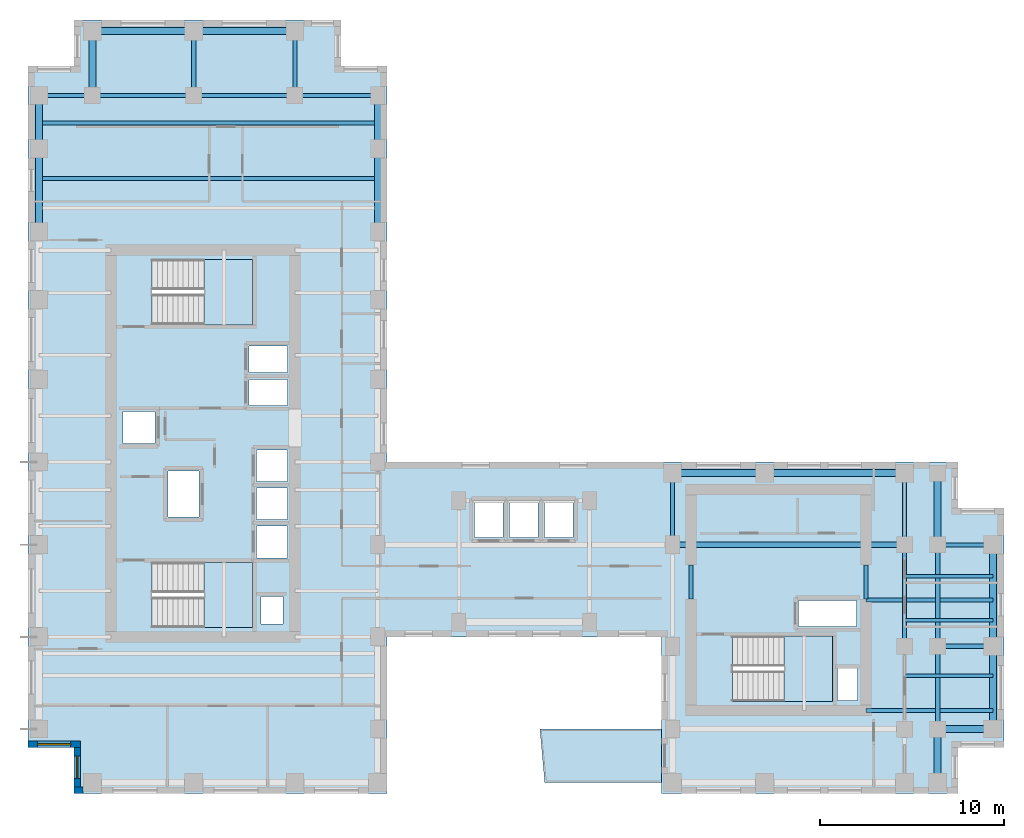
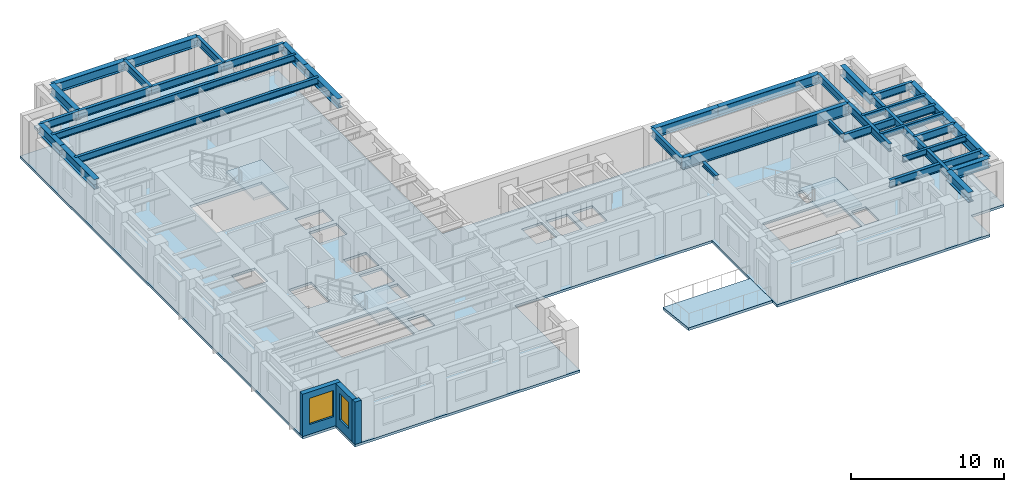
# One storey, part 2 of 12: 37 beams, 5 slabs, 3 walls, 2 windows, 2 openings, 3 elements without a shape of their own.
"""IFC4 building model written with IfcOpenShell, lengths in metres."""

from ifc_helpers import new_model, si_unit, direction, frame, frame_2d, origin, origin_2d, place, context, subcontext, project, spatial, polyline, rectangle, i_section, outline, extrude, source, transform, mapped, material, layer, layer_set, material_profile, profile_set, type_object, element, fill, aggregate, save


model = new_model("IFC4")

# Units and contexts
model_context = context("Model", 3, precision=1e-05, world=origin(), true_north=direction((0.0, 1.0)))
body_context = subcontext(model_context, "Body", "Model", "MODEL_VIEW")
ifc_project = project(units=[si_unit("LENGTHUNIT", "METRE"), si_unit("AREAUNIT", "SQUARE_METRE"), si_unit("VOLUMEUNIT", "CUBIC_METRE"), si_unit("PLANEANGLEUNIT", "RADIAN"), si_unit("MASSUNIT", "GRAM", prefix="KILO")], contexts=[model_context])

# Site, building, storey
site_placement = place(None, origin())
site = spatial("IfcSite", under=ifc_project, at=site_placement, CompositionType="ELEMENT")
building_placement = place(site_placement, origin())
building = spatial("IfcBuilding", under=site, at=building_placement, Name="Kharzan Plaza Tower", CompositionType="ELEMENT")
storey_placement = place(building_placement, frame((0.0, 0.0, 164.699951171875)))
storey = spatial("IfcBuildingStorey", under=building, at=storey_placement, Name="L44", CompositionType="ELEMENT", Elevation=164.699951171875)

# Beams
ifc_material_1 = material(Name="Steel S355", Category="steel")
ifc_material_profile_1 = material_profile(ifc_material_1, i_section(OverallWidth=0.205078125, OverallDepth=0.35400390625, WebThickness=0.009521484375, FlangeThickness=0.016845703125, at=origin_2d()), Name="W360x79")
ifc_profile_set_1 = profile_set([ifc_material_profile_1], Name="Steel S355")
beam_type_1 = type_object("IfcBeamType", Name="BM-LNT360", PredefinedType="LINTEL", material=ifc_profile_set_1)
shared_shape_1 = source(origin(), body_context, "Body", "SweptSolid", [
    extrude(i_section(OverallWidth=0.205078125, OverallDepth=0.35400390625, WebThickness=0.009521484375, FlangeThickness=0.016845703125, at=origin_2d()), origin(), (0.0, 0.0, 1.0), 1.849853515625),
])
for number, where, z_axis, x_axis, name in (
    (1, (45.5, 10.550048828125, 3.22314453125), (0.0, 1.0, 0.0), (-1.0, 0.0, 0.0), "L44 CORE-B coupling lintel LN1-WE"),
    (2, (36.0, 10.550048828125, 3.22314453125), (0.0, 1.0, 0.0), (-1.0, 0.0, 0.0), "L44 CORE-B coupling lintel LN1-WW"),
):
    element("IfcBeam", number, at=place(storey_placement, frame(where, z_axis=z_axis, x_axis=x_axis)), inside=storey, type_object=beam_type_1, Name=name, PredefinedType="LINTEL", context=body_context, shape_type="MappedRepresentation", body=[
        mapped(shared_shape_1, transform((0.0, 0.0, 0.0), x_axis=(1.0, 0.0, 0.0), y_axis=(0.0, 1.0, 0.0), z_axis=(0.0, 0.0, 1.0))),
    ])
ifc_material_profile_2 = material_profile(ifc_material_1, i_section(OverallWidth=0.304931640625, OverallDepth=0.9189453125, WebThickness=0.017333984375, FlangeThickness=0.02783203125, at=origin_2d()), Name="W920x253")
ifc_profile_set_2 = profile_set([ifc_material_profile_2], Name="Steel S355")
beam_type_2 = type_object("IfcBeamType", Name="BM-FG920B", PredefinedType="BEAM", material=ifc_profile_set_2)
shared_shape_2 = source(origin(), body_context, "Body", "SweptSolid", [
    extrude(i_section(OverallWidth=0.304931640625, OverallDepth=0.9189453125, WebThickness=0.017333984375, FlangeThickness=0.02783203125, at=origin_2d()), origin(), (0.0, 0.0, 1.0), 12.60009765625),
])
beam_1_placement = place(storey_placement, frame((35.0, 13.5, 2.9404296875), z_axis=(1.0, 0.0, 0.0), x_axis=(0.0, 1.0, 0.0)))
element("IfcBeam", 3, at=beam_1_placement, inside=storey, type_object=beam_type_2, Name="L44 Primary Floor Girder", PredefinedType="BEAM", context=body_context, shape_type="MappedRepresentation", body=[
    mapped(shared_shape_2, transform((0.0, 0.0, 0.0), x_axis=(1.0, 0.0, 0.0), y_axis=(0.0, 1.0, 0.0), z_axis=(0.0, 0.0, 1.0))),
])
ifc_material_profile_3 = material_profile(ifc_material_1, i_section(OverallWidth=0.2099609375, OverallDepth=0.537109375, WebThickness=0.010986328125, FlangeThickness=0.017333984375, at=origin_2d()), Name="W530x101")
ifc_profile_set_3 = profile_set([ifc_material_profile_3], Name="Steel S355")
beam_type_3 = type_object("IfcBeamType", Name="BM-JST530B", PredefinedType="JOIST", material=ifc_profile_set_3)
shared_shape_3 = source(origin(), body_context, "Body", "SweptSolid", [
    extrude(i_section(OverallWidth=0.2099609375, OverallDepth=0.537109375, WebThickness=0.010986328125, FlangeThickness=0.017333984375, at=origin_2d()), origin(), (0.0, 0.0, 1.0), 18.39990234375),
])
for number, where, z_axis, x_axis, name in (
    (4, (0.60009765625, 33.39990234375, 3.131591796875), (1.0, 0.0, 0.0), (0.0, 1.0, 0.0), "L44 Wing A Composite Joist 05"),
    (5, (0.60009765625, 36.39990234375, 3.131591796875), (1.0, 0.0, 0.0), (0.0, 1.0, 0.0), "L44 Wing A Composite Joist 06"),
):
    element("IfcBeam", number, at=place(storey_placement, frame(where, z_axis=z_axis, x_axis=x_axis)), inside=storey, type_object=beam_type_3, Name=name, PredefinedType="JOIST", context=body_context, shape_type="MappedRepresentation", body=[
        mapped(shared_shape_3, transform((0.0, 0.0, 0.0), x_axis=(1.0, 0.0, 0.0), y_axis=(0.0, 1.0, 0.0), z_axis=(0.0, 0.0, 1.0))),
    ])
ifc_material_profile_4 = material_profile(ifc_material_1, i_section(OverallWidth=0.22900390625, OverallDepth=0.612060546875, WebThickness=0.011962890625, FlangeThickness=0.01953125, at=origin_2d()), Name="W610x125")
ifc_profile_set_4 = profile_set([ifc_material_profile_4], Name="Steel S355")
beam_type_4 = type_object("IfcBeamType", Name="BM-FG610B", PredefinedType="BEAM", material=ifc_profile_set_4)
shared_shape_4 = source(origin(), body_context, "Body", "SweptSolid", [
    extrude(i_section(OverallWidth=0.22900390625, OverallDepth=0.612060546875, WebThickness=0.011962890625, FlangeThickness=0.01953125, at=origin_2d()), origin(), (0.0, 0.0, 1.0), 4.5),
])
for number, where, z_axis, x_axis, name in (
    (6, (49.39990234375, 3.5, 3.093994140625), (0.0, 1.0, 0.0), (-1.0, 0.0, 0.0), "L44 Interior Frame Girder"),
    (7, (14.5, 37.89990234375, 3.093994140625), (1.0, 0.0, 0.0), (0.0, 1.0, 0.0), "L44 Primary Floor Girder"),
):
    element("IfcBeam", number, at=place(storey_placement, frame(where, z_axis=z_axis, x_axis=x_axis)), inside=storey, type_object=beam_type_4, Name=name, PredefinedType="BEAM", context=body_context, shape_type="MappedRepresentation", body=[
        mapped(shared_shape_4, transform((0.0, 0.0, 0.0), x_axis=(1.0, 0.0, 0.0), y_axis=(0.0, 1.0, 0.0), z_axis=(0.0, 0.0, 1.0))),
    ])
shared_shape_5 = source(origin(), body_context, "Body", "SweptSolid", [
    extrude(i_section(OverallWidth=0.22900390625, OverallDepth=0.612060546875, WebThickness=0.011962890625, FlangeThickness=0.01953125, at=origin_2d()), origin(), (0.0, 0.0, 1.0), 3.89990234375),
])
for number, where, z_axis, x_axis, name in (
    (8, (35.0, 13.5, 3.093994140625), (0.0, 1.0, 0.0), (-1.0, 0.0, 0.0), "L44 Interior Frame Girder"),
    (9, (47.60009765625, 13.5, 3.093994140625), (0.0, 1.0, 0.0), (-1.0, 0.0, 0.0), "L44 Interior Frame Girder"),
):
    element("IfcBeam", number, at=place(storey_placement, frame(where, z_axis=z_axis, x_axis=x_axis)), inside=storey, type_object=beam_type_4, Name=name, PredefinedType="BEAM", context=body_context, shape_type="MappedRepresentation", body=[
        mapped(shared_shape_5, transform((0.0, 0.0, 0.0), x_axis=(1.0, 0.0, 0.0), y_axis=(0.0, 1.0, 0.0), z_axis=(0.0, 0.0, 1.0))),
    ])
shared_shape_6 = source(origin(), body_context, "Body", "SweptSolid", [
    extrude(i_section(OverallWidth=0.22900390625, OverallDepth=0.612060546875, WebThickness=0.011962890625, FlangeThickness=0.01953125, at=origin_2d()), origin(), (0.0, 0.0, 1.0), 6.89990234375),
])
for number, where, z_axis, x_axis, name in (
    (10, (45.5, 4.5, 3.093994140625), (1.0, 0.0, 0.0), (0.0, 1.0, 0.0), "L44 Core-B East Floor Girder 1"),
    (11, (45.5, 10.5, 3.093994140625), (1.0, 0.0, 0.0), (0.0, 1.0, 0.0), "L44 Core-B East Floor Girder 2"),
):
    element("IfcBeam", number, at=place(storey_placement, frame(where, z_axis=z_axis, x_axis=x_axis)), inside=storey, type_object=beam_type_4, Name=name, PredefinedType="BEAM", context=body_context, shape_type="MappedRepresentation", body=[
        mapped(shared_shape_6, transform((0.0, 0.0, 0.0), x_axis=(1.0, 0.0, 0.0), y_axis=(0.0, 1.0, 0.0), z_axis=(0.0, 0.0, 1.0))),
    ])
shared_shape_7 = source(origin(), body_context, "Body", "SweptSolid", [
    extrude(i_section(OverallWidth=0.22900390625, OverallDepth=0.612060546875, WebThickness=0.011962890625, FlangeThickness=0.01953125, at=origin_2d()), origin(), (0.0, 0.0, 1.0), 3.5),
])
for number, where, z_axis, x_axis, name in (
    (12, (9.0, 37.89990234375, 3.093994140625), (0.0, 1.0, 0.0), (-1.0, 0.0, 0.0), "L44 Interior Frame Girder"),
    (13, (14.5, 37.89990234375, 3.093994140625), (0.0, 1.0, 0.0), (-1.0, 0.0, 0.0), "L44 Interior Frame Girder"),
):
    element("IfcBeam", number, at=place(storey_placement, frame(where, z_axis=z_axis, x_axis=x_axis)), inside=storey, type_object=beam_type_4, Name=name, PredefinedType="BEAM", context=body_context, shape_type="MappedRepresentation", body=[
        mapped(shared_shape_7, transform((0.0, 0.0, 0.0), x_axis=(1.0, 0.0, 0.0), y_axis=(0.0, 1.0, 0.0), z_axis=(0.0, 0.0, 1.0))),
    ])
shared_shape_8 = source(origin(), body_context, "Body", "SweptSolid", [
    extrude(i_section(OverallWidth=0.22900390625, OverallDepth=0.612060546875, WebThickness=0.011962890625, FlangeThickness=0.01953125, at=origin_2d()), origin(), (0.0, 0.0, 1.0), 5.5),
])
for number, where, z_axis, x_axis, name in (
    (14, (47.60009765625, 8.0, 3.093994140625), (0.0, 1.0, 0.0), (-1.0, 0.0, 0.0), "L44 Interior Frame Girder"),
    (15, (49.39990234375, 8.0, 3.093994140625), (0.0, 1.0, 0.0), (-1.0, 0.0, 0.0), "L44 Interior Frame Girder"),
    (16, (3.5, 37.89990234375, 3.093994140625), (1.0, 0.0, 0.0), (0.0, 1.0, 0.0), "L44 Primary Floor Girder"),
    (17, (9.0, 37.89990234375, 3.093994140625), (1.0, 0.0, 0.0), (0.0, 1.0, 0.0), "L44 Primary Floor Girder"),
):
    element("IfcBeam", number, at=place(storey_placement, frame(where, z_axis=z_axis, x_axis=x_axis)), inside=storey, type_object=beam_type_4, Name=name, PredefinedType="BEAM", context=body_context, shape_type="MappedRepresentation", body=[
        mapped(shared_shape_8, transform((0.0, 0.0, 0.0), x_axis=(1.0, 0.0, 0.0), y_axis=(0.0, 1.0, 0.0), z_axis=(0.0, 0.0, 1.0))),
    ])
shared_shape_9 = source(origin(), body_context, "Body", "SweptSolid", [
    extrude(i_section(OverallWidth=0.22900390625, OverallDepth=0.612060546875, WebThickness=0.011962890625, FlangeThickness=0.01953125, at=origin_2d()), origin(), (0.0, 0.0, 1.0), 2.89990234375),
])
beam_2_placement = place(storey_placement, frame((0.60009765625, 37.89990234375, 3.093994140625), z_axis=(1.0, 0.0, 0.0), x_axis=(0.0, 1.0, 0.0)))
element("IfcBeam", 18, at=beam_2_placement, inside=storey, type_object=beam_type_4, Name="L44 Primary Floor Girder", PredefinedType="BEAM", context=body_context, shape_type="MappedRepresentation", body=[
    mapped(shared_shape_9, transform((0.0, 0.0, 0.0), x_axis=(1.0, 0.0, 0.0), y_axis=(0.0, 1.0, 0.0), z_axis=(0.0, 0.0, 1.0))),
])
shared_shape_10 = source(origin(), body_context, "Body", "SweptSolid", [
    extrude(i_section(OverallWidth=0.22900390625, OverallDepth=0.612060546875, WebThickness=0.011962890625, FlangeThickness=0.01953125, at=origin_2d()), origin(), (0.0, 0.0, 1.0), 3.0),
])
for number, where, z_axis, x_axis, name in (
    (19, (49.39990234375, 8.0, 3.093994140625), (1.0, 0.0, 0.0), (0.0, 1.0, 0.0), "L44 Primary Floor Girder"),
    (20, (49.39990234375, 13.5, 3.093994140625), (1.0, 0.0, 0.0), (0.0, 1.0, 0.0), "L44 Primary Floor Girder"),
):
    element("IfcBeam", number, at=place(storey_placement, frame(where, z_axis=z_axis, x_axis=x_axis)), inside=storey, type_object=beam_type_4, Name=name, PredefinedType="BEAM", context=body_context, shape_type="MappedRepresentation", body=[
        mapped(shared_shape_10, transform((0.0, 0.0, 0.0), x_axis=(1.0, 0.0, 0.0), y_axis=(0.0, 1.0, 0.0), z_axis=(0.0, 0.0, 1.0))),
    ])
ifc_material_profile_5 = material_profile(ifc_material_1, i_section(OverallWidth=0.194091796875, OverallDepth=0.468994140625, WebThickness=0.011474609375, FlangeThickness=0.0205078125, at=origin_2d()), Name="W460x106")
ifc_profile_set_5 = profile_set([ifc_material_profile_5], Name="Steel S355")
beam_type_5 = type_object("IfcBeamType", Name="BM-JST460", PredefinedType="JOIST", material=ifc_profile_set_5)
shared_shape_11 = source(origin(), body_context, "Body", "SweptSolid", [
    extrude(i_section(OverallWidth=0.194091796875, OverallDepth=0.468994140625, WebThickness=0.011474609375, FlangeThickness=0.0205078125, at=origin_2d()), origin(), (0.0, 0.0, 1.0), 4.7998046875),
])
for number, where, z_axis, x_axis, name in (
    (21, (47.60009765625, 6.39990234375, 3.16552734375), (1.0, 0.0, 0.0), (0.0, 1.0, 0.0), "L44 Wing B Composite Joist 02"),
    (22, (47.60009765625, 9.39990234375, 3.16552734375), (1.0, 0.0, 0.0), (0.0, 1.0, 0.0), "L44 Wing B Composite Joist 03"),
    (23, (47.60009765625, 11.800048828125, 3.16552734375), (1.0, 0.0, 0.0), (0.0, 1.0, 0.0), "L44 Wing B Composite Joist 04"),
):
    element("IfcBeam", number, at=place(storey_placement, frame(where, z_axis=z_axis, x_axis=x_axis)), inside=storey, type_object=beam_type_5, Name=name, PredefinedType="JOIST", context=body_context, shape_type="MappedRepresentation", body=[
        mapped(shared_shape_11, transform((0.0, 0.0, 0.0), x_axis=(1.0, 0.0, 0.0), y_axis=(0.0, 1.0, 0.0), z_axis=(0.0, 0.0, 1.0))),
    ])
ifc_material_profile_6 = material_profile(ifc_material_1, i_section(OverallWidth=0.381103515625, OverallDepth=0.77294921875, WebThickness=0.0166015625, FlangeThickness=0.027587890625, at=origin_2d()), Name="W760x257")
ifc_profile_set_6 = profile_set([ifc_material_profile_6], Name="Steel S355")
beam_type_6 = type_object("IfcBeamType", Name="BM-SP760A", PredefinedType="SPANDREL", material=ifc_profile_set_6)
shared_shape_12 = source(origin(), body_context, "Body", "SweptSolid", [
    extrude(i_section(OverallWidth=0.381103515625, OverallDepth=0.77294921875, WebThickness=0.0166015625, FlangeThickness=0.027587890625, at=origin_2d()), origin(), (0.0, 0.0, 1.0), 5.0),
])
beam_3_placement = place(storey_placement, frame((35.0, 17.39990234375, 3.013427734375), z_axis=(1.0, 0.0, 0.0), x_axis=(0.0, 1.0, 0.0)))
element("IfcBeam", 24, at=beam_3_placement, inside=storey, type_object=beam_type_6, Name="L44 Perimeter Tube Spandrel", PredefinedType="SPANDREL", context=body_context, shape_type="MappedRepresentation", body=[
    mapped(shared_shape_12, transform((0.0, 0.0, 0.0), x_axis=(1.0, 0.0, 0.0), y_axis=(0.0, 1.0, 0.0), z_axis=(0.0, 0.0, 1.0))),
])
shared_shape_13 = source(origin(), body_context, "Body", "SweptSolid", [
    extrude(i_section(OverallWidth=0.381103515625, OverallDepth=0.77294921875, WebThickness=0.0166015625, FlangeThickness=0.027587890625, at=origin_2d()), origin(), (0.0, 0.0, 1.0), 4.5),
])
for number, where, z_axis, x_axis, name in (
    (25, (0.60009765625, 30.5, 3.013427734375), (0.0, 1.0, 0.0), (-1.0, 0.0, 0.0), "L44 Perimeter Tube Spandrel"),
    (26, (19.0, 30.5, 3.013427734375), (0.0, 1.0, 0.0), (-1.0, 0.0, 0.0), "L44 Perimeter Tube Spandrel"),
    (27, (52.39990234375, 3.5, 3.013427734375), (0.0, 1.0, 0.0), (-1.0, 0.0, 0.0), "L44 Perimeter Tube Spandrel"),
):
    element("IfcBeam", number, at=place(storey_placement, frame(where, z_axis=z_axis, x_axis=x_axis)), inside=storey, type_object=beam_type_6, Name=name, PredefinedType="SPANDREL", context=body_context, shape_type="MappedRepresentation", body=[
        mapped(shared_shape_13, transform((0.0, 0.0, 0.0), x_axis=(1.0, 0.0, 0.0), y_axis=(0.0, 1.0, 0.0), z_axis=(0.0, 0.0, 1.0))),
    ])
shared_shape_14 = source(origin(), body_context, "Body", "SweptSolid", [
    extrude(i_section(OverallWidth=0.381103515625, OverallDepth=0.77294921875, WebThickness=0.0166015625, FlangeThickness=0.027587890625, at=origin_2d()), origin(), (0.0, 0.0, 1.0), 2.89990234375),
])
for number, where, z_axis, x_axis, name in (
    (28, (0.60009765625, 35.0, 3.013427734375), (0.0, 1.0, 0.0), (-1.0, 0.0, 0.0), "L44 Perimeter Tube Spandrel"),
    (29, (19.0, 35.0, 3.013427734375), (0.0, 1.0, 0.0), (-1.0, 0.0, 0.0), "L44 Perimeter Tube Spandrel"),
    (30, (49.39990234375, 0.60009765625, 3.013427734375), (0.0, 1.0, 0.0), (-1.0, 0.0, 0.0), "L44 Perimeter Tube Spandrel"),
):
    element("IfcBeam", number, at=place(storey_placement, frame(where, z_axis=z_axis, x_axis=x_axis)), inside=storey, type_object=beam_type_6, Name=name, PredefinedType="SPANDREL", context=body_context, shape_type="MappedRepresentation", body=[
        mapped(shared_shape_14, transform((0.0, 0.0, 0.0), x_axis=(1.0, 0.0, 0.0), y_axis=(0.0, 1.0, 0.0), z_axis=(0.0, 0.0, 1.0))),
    ])
shared_shape_15 = source(origin(), body_context, "Body", "SweptSolid", [
    extrude(i_section(OverallWidth=0.381103515625, OverallDepth=0.77294921875, WebThickness=0.0166015625, FlangeThickness=0.027587890625, at=origin_2d()), origin(), (0.0, 0.0, 1.0), 3.5),
])
beam_4_placement = place(storey_placement, frame((3.5, 37.89990234375, 3.013427734375), z_axis=(0.0, 1.0, 0.0), x_axis=(-1.0, 0.0, 0.0)))
element("IfcBeam", 31, at=beam_4_placement, inside=storey, type_object=beam_type_6, Name="L44 Perimeter Tube Spandrel", PredefinedType="SPANDREL", context=body_context, shape_type="MappedRepresentation", body=[
    mapped(shared_shape_15, transform((0.0, 0.0, 0.0), x_axis=(1.0, 0.0, 0.0), y_axis=(0.0, 1.0, 0.0), z_axis=(0.0, 0.0, 1.0))),
])
shared_shape_16 = source(origin(), body_context, "Body", "SweptSolid", [
    extrude(i_section(OverallWidth=0.381103515625, OverallDepth=0.77294921875, WebThickness=0.0166015625, FlangeThickness=0.027587890625, at=origin_2d()), origin(), (0.0, 0.0, 1.0), 3.89990234375),
])
beam_5_placement = place(storey_placement, frame((49.39990234375, 13.5, 3.013427734375), z_axis=(0.0, 1.0, 0.0), x_axis=(-1.0, 0.0, 0.0)))
element("IfcBeam", 32, at=beam_5_placement, inside=storey, type_object=beam_type_6, Name="L44 Perimeter Tube Spandrel", PredefinedType="SPANDREL", context=body_context, shape_type="MappedRepresentation", body=[
    mapped(shared_shape_16, transform((0.0, 0.0, 0.0), x_axis=(1.0, 0.0, 0.0), y_axis=(0.0, 1.0, 0.0), z_axis=(0.0, 0.0, 1.0))),
])
shared_shape_17 = source(origin(), body_context, "Body", "SweptSolid", [
    extrude(i_section(OverallWidth=0.381103515625, OverallDepth=0.77294921875, WebThickness=0.0166015625, FlangeThickness=0.027587890625, at=origin_2d()), origin(), (0.0, 0.0, 1.0), 5.5),
])
for number, where, z_axis, x_axis, name in (
    (33, (52.39990234375, 8.0, 3.013427734375), (0.0, 1.0, 0.0), (-1.0, 0.0, 0.0), "L44 Perimeter Tube Spandrel"),
    (34, (3.5, 41.39990234375, 3.013427734375), (1.0, 0.0, 0.0), (0.0, 1.0, 0.0), "L44 Perimeter Tube Spandrel"),
    (35, (9.0, 41.39990234375, 3.013427734375), (1.0, 0.0, 0.0), (0.0, 1.0, 0.0), "L44 Perimeter Tube Spandrel"),
):
    element("IfcBeam", number, at=place(storey_placement, frame(where, z_axis=z_axis, x_axis=x_axis)), inside=storey, type_object=beam_type_6, Name=name, PredefinedType="SPANDREL", context=body_context, shape_type="MappedRepresentation", body=[
        mapped(shared_shape_17, transform((0.0, 0.0, 0.0), x_axis=(1.0, 0.0, 0.0), y_axis=(0.0, 1.0, 0.0), z_axis=(0.0, 0.0, 1.0))),
    ])
shared_shape_18 = source(origin(), body_context, "Body", "SweptSolid", [
    extrude(i_section(OverallWidth=0.381103515625, OverallDepth=0.77294921875, WebThickness=0.0166015625, FlangeThickness=0.027587890625, at=origin_2d()), origin(), (0.0, 0.0, 1.0), 7.60009765625),
])
beam_6_placement = place(storey_placement, frame((40.0, 17.39990234375, 3.013427734375), z_axis=(1.0, 0.0, 0.0), x_axis=(0.0, 1.0, 0.0)))
element("IfcBeam", 36, at=beam_6_placement, inside=storey, type_object=beam_type_6, Name="L44 Perimeter Tube Spandrel", PredefinedType="SPANDREL", context=body_context, shape_type="MappedRepresentation", body=[
    mapped(shared_shape_18, transform((0.0, 0.0, 0.0), x_axis=(1.0, 0.0, 0.0), y_axis=(0.0, 1.0, 0.0), z_axis=(0.0, 0.0, 1.0))),
])
shared_shape_19 = source(origin(), body_context, "Body", "SweptSolid", [
    extrude(i_section(OverallWidth=0.381103515625, OverallDepth=0.77294921875, WebThickness=0.0166015625, FlangeThickness=0.027587890625, at=origin_2d()), origin(), (0.0, 0.0, 1.0), 3.0),
])
beam_7_placement = place(storey_placement, frame((49.39990234375, 3.5, 3.013427734375), z_axis=(1.0, 0.0, 0.0), x_axis=(0.0, 1.0, 0.0)))
element("IfcBeam", 37, at=beam_7_placement, inside=storey, type_object=beam_type_6, Name="L44 Perimeter Tube Spandrel", PredefinedType="SPANDREL", context=body_context, shape_type="MappedRepresentation", body=[
    mapped(shared_shape_19, transform((0.0, 0.0, 0.0), x_axis=(1.0, 0.0, 0.0), y_axis=(0.0, 1.0, 0.0), z_axis=(0.0, 0.0, 1.0))),
])

# Slab
ifc_material_2 = material(Name="Concrete C40/50", Category="concrete")
ifc_layer_1 = layer(ifc_material_2, 0.199951171875)
ifc_layer_set_1 = layer_set([ifc_layer_1], Name="Concrete C40/50")
slab_type_1 = type_object("IfcSlabType", Name="SL-FLOOR-200", PredefinedType="FLOOR", material=ifc_layer_set_1)
slab_1_placement = place(storey_placement, frame((0.0, 0.0, -0.199951171875)))
element("IfcSlab", 38, at=slab_1_placement, inside=storey, type_object=slab_type_1, Name="L44 Composite Structural Floor Slab 200 mm", PredefinedType="FLOOR", context=body_context, shape_type="SweptSolid", body=[
    extrude(outline(polyline([(34.39990234375, 18.0), (19.5, 18.0), (19.5, 39.5), (17.0, 39.5), (17.0, 42.0), (2.5, 42.0), (2.5, 39.5), (0.0, 39.5), (0.0, 2.5), (2.5, 2.5), (2.5, 0.0), (19.5, 0.0), (19.5, 8.5), (34.39990234375, 8.5), (34.39990234375, 0.0), (50.5, 0.0), (50.5, 2.5), (53.0, 2.5), (53.0, 15.5), (50.5, 15.5), (50.5, 18.0), (34.39990234375, 18.0)]), holes=[polyline([(12.199951171875, 9.0), (12.199951171875, 12.550048828125), (6.75, 12.550048828125), (6.75, 9.0), (12.199951171875, 9.0)]), polyline([(14.10009765625, 12.800048828125), (14.10009765625, 14.530029296875), (12.39990234375, 14.530029296875), (12.39990234375, 12.800048828125), (14.10009765625, 12.800048828125)]), polyline([(14.10009765625, 14.8701171875), (14.10009765625, 16.60009765625), (12.39990234375, 16.60009765625), (12.39990234375, 14.8701171875), (14.10009765625, 14.8701171875)]), polyline([(9.300048828125, 15.0), (9.300048828125, 17.5), (7.60009765625, 17.5), (7.60009765625, 15.0), (9.300048828125, 15.0)]), polyline([(6.89990234375, 19.010009765625), (6.89990234375, 20.72998046875), (5.14990234375, 20.72998046875), (5.14990234375, 19.010009765625), (6.89990234375, 19.010009765625)]), polyline([(14.10009765625, 21.070068359375), (14.10009765625, 22.489990234375), (12.0, 22.489990234375), (12.0, 21.070068359375), (14.10009765625, 21.070068359375)]), polyline([(14.10009765625, 22.8701171875), (14.10009765625, 24.2900390625), (12.0, 24.2900390625), (12.0, 22.8701171875), (14.10009765625, 22.8701171875)]), polyline([(12.199951171875, 25.449951171875), (12.199951171875, 29.0), (6.75, 29.0), (6.75, 25.449951171875), (12.199951171875, 25.449951171875)]), polyline([(45.050048828125, 5.050048828125), (45.050048828125, 6.800048828125), (43.949951171875, 6.800048828125), (43.949951171875, 5.050048828125), (45.050048828125, 5.050048828125)]), polyline([(43.699951171875, 5.0), (43.699951171875, 8.550048828125), (38.25, 8.550048828125), (38.25, 5.0), (43.699951171875, 5.0)]), polyline([(45.0, 9.070068359375), (45.0, 10.469970703125), (41.85009765625, 10.469970703125), (41.85009765625, 9.070068359375), (45.0, 9.070068359375)]), polyline([(13.85009765625, 9.199951171875), (13.85009765625, 10.699951171875), (12.64990234375, 10.699951171875), (12.64990234375, 9.199951171875), (13.85009765625, 9.199951171875)]), polyline([(25.800048828125, 13.89990234375), (25.800048828125, 15.85009765625), (24.25, 15.85009765625), (24.25, 13.89990234375), (25.800048828125, 13.89990234375)]), polyline([(27.699951171875, 13.89990234375), (27.699951171875, 15.85009765625), (26.14990234375, 15.85009765625), (26.14990234375, 13.89990234375), (27.699951171875, 13.89990234375)]), polyline([(29.60009765625, 13.89990234375), (29.60009765625, 15.85009765625), (28.050048828125, 15.85009765625), (28.050048828125, 13.89990234375), (29.60009765625, 13.89990234375)]), polyline([(14.10009765625, 16.93994140625), (14.10009765625, 18.64990234375), (12.39990234375, 18.64990234375), (12.39990234375, 16.93994140625), (14.10009765625, 16.93994140625)])]), origin(), (0.0, 0.0, 1.0), 0.199951171875),
])

# Stair, slab
stair_type_1 = type_object("IfcStairType", Name="STR-ST-1", PredefinedType="HALF_TURN_STAIR", material=ifc_material_2)
stair_1_placement = place(storey_placement, origin())
stair_1 = element("IfcStair", 39, at=stair_1_placement, inside=storey, type_object=stair_type_1, Name="L44 Protected Exit Stair ST-1", PredefinedType="HALF_TURN_STAIR")
ifc_layer_2 = layer(ifc_material_2, 0.219970703125)
ifc_layer_set_2 = layer_set([ifc_layer_2], Name="Concrete C40/50")
slab_type_2 = type_object("IfcSlabType", Name="SL-LANDING-220", PredefinedType="LANDING", material=ifc_layer_set_2)
slab_2_placement = place(storey_placement, frame((0.0, 0.0, 1.60009765625)))
slab_2 = element("IfcSlab", 40, at=slab_2_placement, type_object=slab_type_2, Name="ST-1 landing 1", PredefinedType="LANDING", context=body_context, shape_type="SweptSolid", body=[
    extrude(outline(polyline([(9.550048828125, 9.0), (12.199951171875, 9.0), (12.199951171875, 12.550048828125), (9.550048828125, 12.550048828125), (9.550048828125, 9.0)])), origin(), (0.0, 0.0, 1.0), 0.199951171875),
])
aggregate(stair_1, [slab_2])

stair_type_2 = type_object("IfcStairType", Name="STR-ST-2", PredefinedType="HALF_TURN_STAIR", material=ifc_material_2)
stair_2_placement = place(storey_placement, origin())
stair_2 = element("IfcStair", 41, at=stair_2_placement, inside=storey, type_object=stair_type_2, Name="L44 Protected Exit Stair ST-2", PredefinedType="HALF_TURN_STAIR")
slab_3_placement = place(storey_placement, frame((0.0, 0.0, 1.60009765625)))
slab_3 = element("IfcSlab", 42, at=slab_3_placement, type_object=slab_type_2, Name="ST-2 landing 1", PredefinedType="LANDING", context=body_context, shape_type="SweptSolid", body=[
    extrude(outline(polyline([(9.550048828125, 25.449951171875), (12.199951171875, 25.449951171875), (12.199951171875, 29.0), (9.550048828125, 29.0), (9.550048828125, 25.449951171875)])), origin(), (0.0, 0.0, 1.0), 0.199951171875),
])
aggregate(stair_2, [slab_3])

stair_type_3 = type_object("IfcStairType", Name="STR-ST-3", PredefinedType="HALF_TURN_STAIR", material=ifc_material_2)
stair_3_placement = place(storey_placement, origin())
stair_3 = element("IfcStair", 43, at=stair_3_placement, inside=storey, type_object=stair_type_3, Name="L44 Protected Exit Stair ST-3", PredefinedType="HALF_TURN_STAIR")
slab_4_placement = place(storey_placement, frame((0.0, 0.0, 1.60009765625)))
slab_4 = element("IfcSlab", 44, at=slab_4_placement, type_object=slab_type_2, Name="ST-3 landing 1", PredefinedType="LANDING", context=body_context, shape_type="SweptSolid", body=[
    extrude(outline(polyline([(41.050048828125, 5.0), (43.699951171875, 5.0), (43.699951171875, 8.550048828125), (41.050048828125, 8.550048828125), (41.050048828125, 5.0)])), origin(), (0.0, 0.0, 1.0), 0.199951171875),
])
aggregate(stair_3, [slab_4])

# Slab
ifc_layer_3 = layer(ifc_material_2, 0.215087890625)
ifc_layer_set_3 = layer_set([ifc_layer_3], Name="Concrete C40/50")
slab_type_3 = type_object("IfcSlabType", Name="SL-TRAY-215", PredefinedType="ROOF", material=ifc_layer_set_3)
slab_5_placement = place(storey_placement, frame((0.0, 0.0, -0.21484375)))
element("IfcSlab", 45, at=slab_5_placement, inside=storey, type_object=slab_type_3, Name="L44 Sky Terrace Tray Slab", PredefinedType="ROOF", context=body_context, shape_type="SweptSolid", body=[
    extrude(outline(polyline([(28.06396484375, 0.60009765625), (34.39990234375, 0.60009765625), (34.39990234375, 3.5), (27.800048828125, 3.5), (28.06396484375, 0.60009765625)])), origin(), (0.0, 0.0, 1.0), 0.21484375),
])

# Wall, opening, window
ifc_layer_4 = layer(ifc_material_2, 0.35009765625)
ifc_layer_set_4 = layer_set([ifc_layer_4], Name="Concrete C40/50")
wall_type = type_object("IfcWallType", Name="WL-EXT-MAS-Z3", PredefinedType="SOLIDWALL", material=ifc_layer_set_4)
wall_1_placement = place(storey_placement, frame((0.0, 2.675048828125, 0.0), z_axis=(0.0, 0.0, 1.0), x_axis=(1.0, 0.0, 0.0)))
wall_1 = element("IfcWall", 46, at=wall_1_placement, inside=storey, type_object=wall_type, Name="L44 Masonry-Frame Exterior Wall 18", PredefinedType="SOLIDWALL", context=body_context, shape_type="SweptSolid", body=[
    extrude(rectangle(XDim=2.85009765625, YDim=0.35009765625, at=frame_2d((1.425048828125, 0.0))), origin(), (0.0, 0.0, 1.0), 3.385009765625),
])
opening_1_placement = place(wall_1_placement, frame((0.52490234375, 0.0, 0.780029296875)))
opening_1 = element("IfcOpeningElement", 47, at=opening_1_placement, cuts=wall_1, Name="Opening W1", PredefinedType="OPENING", context=body_context, shape_type="SweptSolid", body=[
    extrude(rectangle(XDim=1.800048828125, YDim=2.10009765625, at=frame_2d((0.89990234375, 1.050048828125))), frame((0.0, 0.18505859375, 0.0), z_axis=(0.0, -1.0, 0.0), x_axis=(1.0, 0.0, 0.0)), (0.0, 0.0, 1.0), 0.3701171875),
])
ifc_material_3 = material(Name="Low-E Double Glazing", Category="glass")
window_type_1 = type_object("IfcWindowType", Name="WN-REC-1800x2100", PartitioningType="SINGLE_PANEL", PredefinedType="WINDOW", material=ifc_material_3)
shared_shape_20 = source(origin(), body_context, "Body", "SweptSolid", [
    extrude(rectangle(XDim=1.800048828125, YDim=2.10009765625, at=frame_2d((0.89990234375, 1.050048828125))), frame((0.0, 0.030029296875, 0.0), z_axis=(0.0, -1.0, 0.0), x_axis=(1.0, 0.0, 0.0)), (0.0, 0.0, 1.0), 0.06005859375),
])
window_1_placement = place(opening_1_placement, origin())
window_1 = element("IfcWindow", 48, at=window_1_placement, inside=storey, type_object=window_type_1, Name="L44 Recessed Solar-Control Window 18-1", OverallHeight=2.10009765625, OverallWidth=1.800048828125, PartitioningType="SINGLE_PANEL", PredefinedType="WINDOW", context=body_context, shape_type="MappedRepresentation", body=[
    mapped(shared_shape_20, transform((0.0, 0.0, 0.0), x_axis=(1.0, 0.0, 0.0), y_axis=(0.0, 1.0, 0.0), z_axis=(0.0, 0.0, 1.0))),
])
fill(opening_1, window_1)

wall_2_placement = place(storey_placement, frame((2.675048828125, 2.501953125, 0.0), z_axis=(0.0, 0.0, 1.0), x_axis=(0.0, -1.0, 0.0)))
wall_2 = element("IfcWall", 49, at=wall_2_placement, inside=storey, type_object=wall_type, Name="L44 Masonry-Frame Exterior Wall 19", PredefinedType="SOLIDWALL", context=body_context, shape_type="SweptSolid", body=[
    extrude(rectangle(XDim=2.154052734375, YDim=0.35009765625, at=frame_2d((1.0771484375, 0.0))), origin(), (0.0, 0.0, 1.0), 3.385009765625),
])
opening_2_placement = place(wall_2_placement, frame((0.47705078125, 0.0, 0.780029296875)))
opening_2 = element("IfcOpeningElement", 50, at=opening_2_placement, cuts=wall_2, Name="Opening W3", PredefinedType="OPENING", context=body_context, shape_type="SweptSolid", body=[
    extrude(rectangle(XDim=1.199951171875, YDim=2.10009765625, at=frame_2d((0.60009765625, 1.050048828125))), frame((0.0, 0.18505859375, 0.0), z_axis=(0.0, -1.0, 0.0), x_axis=(1.0, 0.0, 0.0)), (0.0, 0.0, 1.0), 0.3701171875),
])
window_type_2 = type_object("IfcWindowType", Name="WN-REC-1200x2100", PartitioningType="SINGLE_PANEL", PredefinedType="WINDOW", material=ifc_material_3)
shared_shape_21 = source(origin(), body_context, "Body", "SweptSolid", [
    extrude(rectangle(XDim=1.199951171875, YDim=2.10009765625, at=frame_2d((0.60009765625, 1.050048828125))), frame((0.0, 0.030029296875, 0.0), z_axis=(0.0, -1.0, 0.0), x_axis=(1.0, 0.0, 0.0)), (0.0, 0.0, 1.0), 0.06005859375),
])
window_2_placement = place(opening_2_placement, origin())
window_2 = element("IfcWindow", 51, at=window_2_placement, inside=storey, type_object=window_type_2, Name="L44 Recessed Solar-Control Window 19-1", OverallHeight=2.10009765625, OverallWidth=1.199951171875, PartitioningType="SINGLE_PANEL", PredefinedType="WINDOW", context=body_context, shape_type="MappedRepresentation", body=[
    mapped(shared_shape_21, transform((0.0, 0.0, 0.0), x_axis=(1.0, 0.0, 0.0), y_axis=(0.0, 1.0, 0.0), z_axis=(0.0, 0.0, 1.0))),
])
fill(opening_2, window_2)

# Wall
shared_shape_22 = source(origin(), body_context, "Body", "SweptSolid", [
    extrude(rectangle(XDim=0.501953125, YDim=0.35009765625, at=frame_2d((0.2509765625, 0.0))), origin(), (0.0, 0.0, 1.0), 3.385009765625),
])
wall_3_placement = place(storey_placement, frame((2.5, 0.175048828125, 0.0), z_axis=(0.0, 0.0, 1.0), x_axis=(1.0, 0.0, 0.0)))
element("IfcWall", 52, at=wall_3_placement, inside=storey, type_object=wall_type, Name="L44 Masonry-Frame Exterior Wall 20", PredefinedType="SOLIDWALL", context=body_context, shape_type="MappedRepresentation", body=[
    mapped(shared_shape_22, transform((0.0, 0.0, 0.0), x_axis=(1.0, 0.0, 0.0), y_axis=(0.0, 1.0, 0.0), z_axis=(0.0, 0.0, 1.0))),
])

save(model, "model.ifc")
